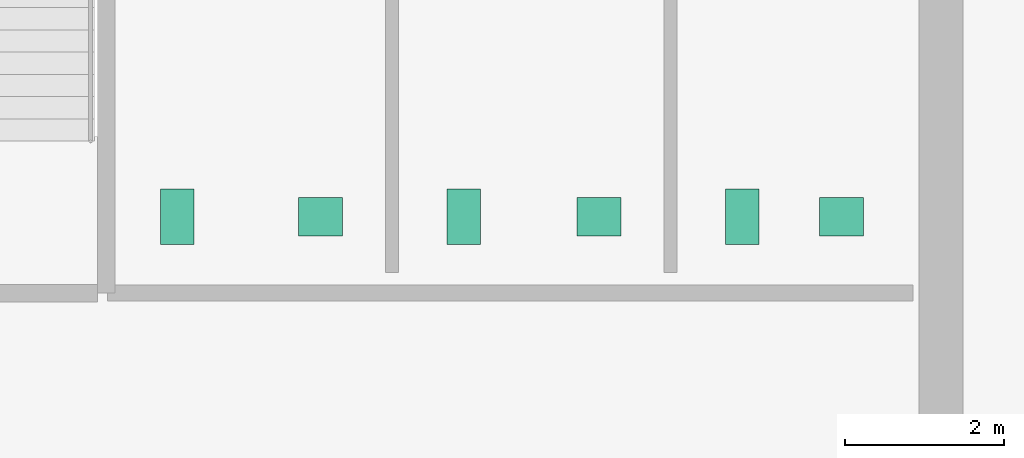
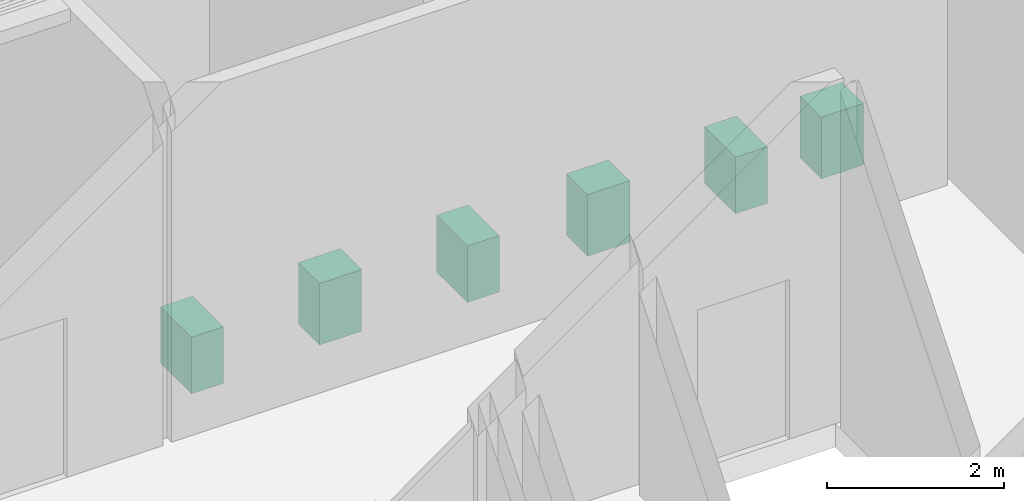
# One storey, part 19 of 19: 6 sanitary terminals.
"""IFC4 building model written with IfcOpenShell, lengths in metres."""

from ifc_helpers import new_model, si_unit, direction, frame, origin, origin_2d, place, context, subcontext, project, spatial, rectangle, extrude, material, type_object, element, save


model = new_model("IFC4")

# Units and contexts
model_context = context("Model", 3, precision=1e-05, world=origin(), true_north=direction((0.0, 1.0)))
body_context = subcontext(model_context, "Body", "Model", "MODEL_VIEW")
ifc_project = project(units=[si_unit("LENGTHUNIT", "METRE"), si_unit("AREAUNIT", "SQUARE_METRE"), si_unit("VOLUMEUNIT", "CUBIC_METRE"), si_unit("PLANEANGLEUNIT", "RADIAN"), si_unit("MASSUNIT", "GRAM", prefix="KILO")], contexts=[model_context])

# Site, building, storey
site_placement = place(None, origin())
site = spatial("IfcSite", under=ifc_project, at=site_placement, CompositionType="ELEMENT")
building_placement = place(site_placement, origin())
building = spatial("IfcBuilding", under=site, at=building_placement, Name="Norrvale University Quadrangle", CompositionType="ELEMENT")
storey_placement = place(building_placement, frame((0.0, 0.0, 256.0)))
storey = spatial("IfcBuildingStorey", under=building, at=storey_placement, Name="L65", CompositionType="ELEMENT", Elevation=256.0)

# Sanitary terminals
ifc_material = material(Name="Vitreous China Sanitaryware")
sanitary_terminal_type_1 = type_object("IfcSanitaryTerminalType", Name="Sanitary Wash Basin", PredefinedType="WASHHANDBASIN", material=ifc_material)
for number, where, z_axis, x_axis, name in (
    (1, (9.0, 41.10009765625, 0.0), (0.0, 0.0, 1.0), (1.0, 0.0, 0.0), "Accessible Countertop Washbasin L65-1"),
    (2, (12.5, 41.10009765625, 0.0), (0.0, 0.0, 1.0), (1.0, 0.0, 0.0), "Accessible Countertop Washbasin L65-2"),
    (3, (15.550048828125, 41.10009765625, 0.0), (0.0, 0.0, 1.0), (1.0, 0.0, 0.0), "Accessible Countertop Washbasin L65-3"),
):
    element("IfcSanitaryTerminal", number, at=place(storey_placement, frame(where, z_axis=z_axis, x_axis=x_axis)), inside=storey, type_object=sanitary_terminal_type_1, Name=name, PredefinedType="WASHHANDBASIN", context=body_context, shape_type="SweptSolid", body=[
        extrude(rectangle(XDim=0.550048828125, YDim=0.47998046875, at=origin_2d()), origin(), (0.0, 0.0, 1.0), 0.85009765625),
    ])
sanitary_terminal_type_2 = type_object("IfcSanitaryTerminalType", Name="Sanitary Water Closet", PredefinedType="TOILETPAN", material=ifc_material)
for number, where, z_axis, x_axis, name in (
    (4, (7.199951171875, 41.10009765625, 0.0), (0.0, 0.0, 1.0), (1.0, 0.0, 0.0), "Wall-Hung Water Closet L65-1"),
    (5, (10.800048828125, 41.10009765625, 0.0), (0.0, 0.0, 1.0), (1.0, 0.0, 0.0), "Wall-Hung Water Closet L65-2"),
    (6, (14.300048828125, 41.10009765625, 0.0), (0.0, 0.0, 1.0), (1.0, 0.0, 0.0), "Wall-Hung Water Closet L65-3"),
):
    element("IfcSanitaryTerminal", number, at=place(storey_placement, frame(where, z_axis=z_axis, x_axis=x_axis)), inside=storey, type_object=sanitary_terminal_type_2, Name=name, PredefinedType="TOILETPAN", context=body_context, shape_type="SweptSolid", body=[
        extrude(rectangle(XDim=0.419921875, YDim=0.699951171875, at=origin_2d()), origin(), (0.0, 0.0, 1.0), 0.780029296875),
    ])

save(model, "model.ifc")
